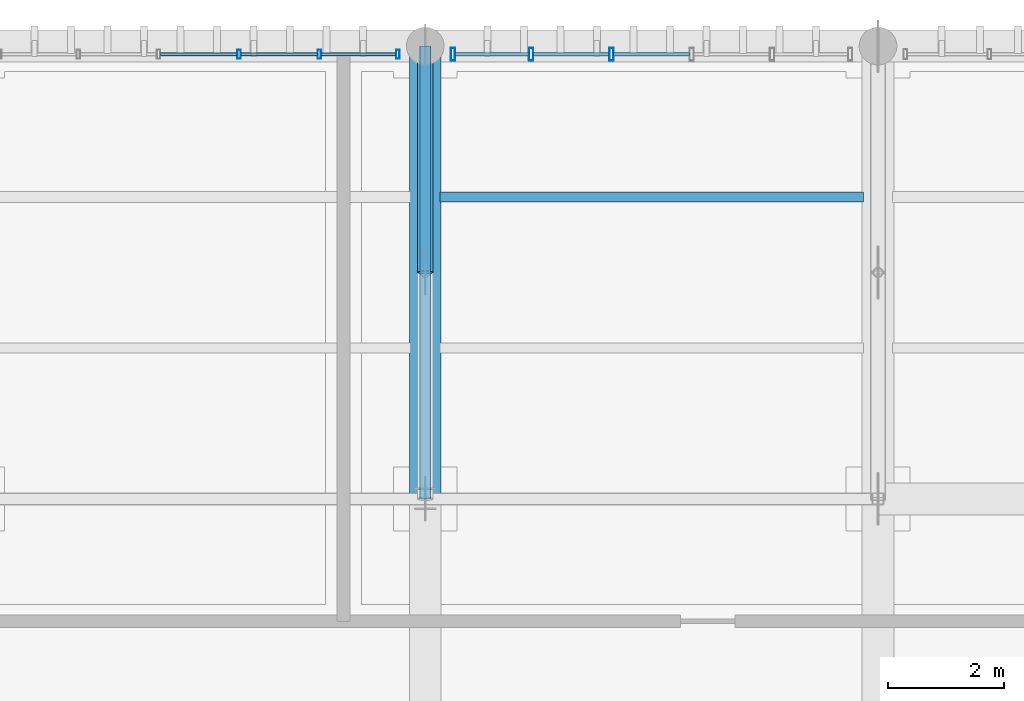
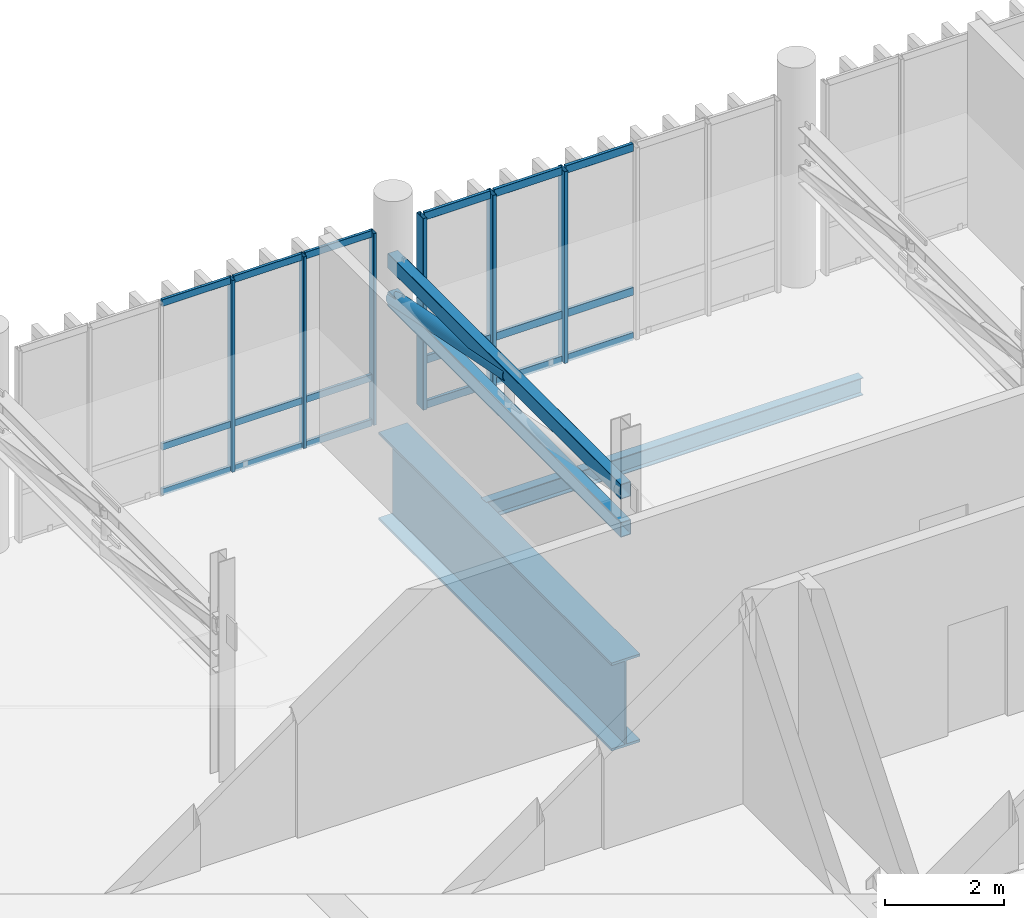
# One storey, part 37 of 53: 27 members, 2 beams, 2 elements without a shape of their own.
"""IFC4 building model written with IfcOpenShell, lengths in metres."""

from ifc_helpers import new_model, si_unit, direction, frame, origin_with_axes, origin_2d_with_axis, place, context, subcontext, project, spatial, hollow_rectangle, hollow_circle, i_section, extrude, material, material_profile, profile_set, type_object, element, aggregate, save


model = new_model("IFC4")

# Units and contexts
model_context = context("Model", 3, precision=1e-05, world=origin_with_axes(), true_north=direction((0.0, 1.0)))
body_context = subcontext(model_context, "Body", "Model", "MODEL_VIEW")
ifc_project = project(units=[si_unit("LENGTHUNIT", "METRE"), si_unit("AREAUNIT", "SQUARE_METRE"), si_unit("VOLUMEUNIT", "CUBIC_METRE"), si_unit("PLANEANGLEUNIT", "RADIAN"), si_unit("MASSUNIT", "GRAM", prefix="KILO"), si_unit("THERMODYNAMICTEMPERATUREUNIT", "KELVIN")], contexts=[model_context])

# Site, building, storey
site_placement = place(None, origin_with_axes())
site = spatial("IfcSite", under=ifc_project, at=site_placement, CompositionType="ELEMENT")
building_placement = place(site_placement, origin_with_axes())
building = spatial("IfcBuilding", under=site, at=building_placement, Name="Montbau Bow Law Courts", CompositionType="ELEMENT")
storey_placement = place(building_placement, frame((0.0, 0.0, 39.0), z_axis=(0.0, 0.0, 1.0), x_axis=(1.0, 0.0, 0.0)))
storey = spatial("IfcBuildingStorey", under=building, at=storey_placement, Name="L08", CompositionType="ELEMENT", Elevation=39.0)

# Beams
ifc_material_1 = material(Name="Steel CSA G40.21 Grade 350W (350 MPa)", Category="steel")
ifc_material_profile_1 = material_profile(ifc_material_1, i_section(OverallWidth=0.172, OverallDepth=0.358, WebThickness=0.0079, FlangeThickness=0.0131, at=origin_2d_with_axis()), Name="W360X57", Category="Main", Priority=0)
ifc_profile_set_1 = profile_set([ifc_material_profile_1], Name="Steel CSA G40.21 Grade 350W (350 MPa)")
beam_type_1 = type_object("IfcBeamType", Name="B-JST-03", PredefinedType="JOIST", material=ifc_profile_set_1)
beam_1_placement = place(None, frame((155.051, 108.4, 38.481), z_axis=(1.0, 0.0, 0.0), x_axis=(0.0, 1.0, 0.0)))
element("IfcBeam", 1, at=beam_1_placement, inside=storey, type_object=beam_type_1, Name="JST-L08-S0770:jst2_0770", PredefinedType="JOIST", context=body_context, shape_type="SweptSolid", body=[
    extrude(i_section(OverallWidth=0.172, OverallDepth=0.358, WebThickness=0.0079, FlangeThickness=0.0131, at=origin_2d_with_axis()), origin_with_axes(), (0.0, 0.0, 1.0), 7.298),
])
ifc_material_2 = material(Name="Steel CSA G40.21 Grade 350WT (350 MPa)", Category="steel")
ifc_material_profile_2 = material_profile(ifc_material_2, i_section(OverallWidth=0.55, OverallDepth=1.8, WebThickness=0.022, FlangeThickness=0.05, at=origin_2d_with_axis()), Name="WWF1800X550", Category="Main", Priority=0)
ifc_profile_set_2 = profile_set([ifc_material_profile_2], Name="Steel CSA G40.21 Grade 350WT (350 MPa)")
beam_type_2 = type_object("IfcBeamType", Name="B-TRG-01", PredefinedType="USERDEFINED", material=ifc_profile_set_2)
beam_2_placement = place(None, frame((154.8, 103.2, 37.76), z_axis=(0.0, 1.0, 0.0), x_axis=(-1.0, 0.0, 0.0)))
element("IfcBeam", 2, at=beam_2_placement, inside=storey, type_object=beam_type_2, Name="TRG-L08-S0101:bm2_0104", ObjectType="GIRDER", PredefinedType="USERDEFINED", context=body_context, shape_type="SweptSolid", body=[
    extrude(i_section(OverallWidth=0.55, OverallDepth=1.8, WebThickness=0.022, FlangeThickness=0.05, at=origin_2d_with_axis()), origin_with_axes(), (0.0, 0.0, 1.0), 7.8),
])

# Members
ifc_material_profile_3 = material_profile(ifc_material_1, hollow_circle(Radius=0.1365, WallThickness=0.0127, at=origin_2d_with_axis()), Name="HSS273X13", Category="Main", Priority=0)
ifc_profile_set_3 = profile_set([ifc_material_profile_3], Name="Steel CSA G40.21 Grade 350W (350 MPa)")
member_type_1 = type_object("IfcMemberType", Name="M-BRC-03", PredefinedType="BRACE", material=ifc_profile_set_3)
member_1_placement = place(None, frame((154.8, 107.1, 42.1), z_axis=(0.0, 0.980580676, -0.196116135), x_axis=(-1.0, 0.0, 0.0)))
element("IfcMember", 3, at=member_1_placement, inside=storey, type_object=member_type_1, Name="Diagonal brace BRC-L08-034", PredefinedType="BRACE", context=body_context, shape_type="SweptSolid", body=[
    extrude(hollow_circle(Radius=0.1365, WallThickness=0.0127, at=origin_2d_with_axis()), origin_with_axes(), (0.0, 0.0, 1.0), 3.977235),
])
ifc_material_profile_4 = material_profile(ifc_material_2, hollow_rectangle(XDim=0.203, YDim=0.305, WallThickness=0.0127, InnerFilletRadius=0.0254, OuterFilletRadius=0.0127, at=origin_2d_with_axis()), Name="HSS305X203X13", Category="Main", Priority=0)
ifc_profile_set_4 = profile_set([ifc_material_profile_4], Name="Steel CSA G40.21 Grade 350WT (350 MPa)")
member_type_2 = type_object("IfcMemberType", Name="M-CHD-02", PredefinedType="CHORD", material=ifc_profile_set_4)
for number, where, z_axis, x_axis, name in (
    (4, (154.8, 103.2, 41.32), (0.0, 1.0, 0.0), (-1.0, 0.0, 0.0), "CHB-L08-17:chb_0017"),
    (5, (154.8, 103.2, 42.1), (0.0, 1.0, 0.0), (-1.0, 0.0, 0.0), "CHD-L08-17:mbr_0065"),
):
    element("IfcMember", number, at=place(None, frame(where, z_axis=z_axis, x_axis=x_axis)), inside=storey, type_object=member_type_2, Name=name, PredefinedType="CHORD", context=body_context, shape_type="SweptSolid", body=[
        extrude(hollow_rectangle(XDim=0.203, YDim=0.305, WallThickness=0.0127, InnerFilletRadius=0.0254, OuterFilletRadius=0.0127, at=origin_2d_with_axis()), origin_with_axes(), (0.0, 0.0, 1.0), 7.8),
    ])

# Curtain wall, members
ifc_material_3 = material(Name="Thermally Broken Extruded Aluminium AA 6063-T6", Category="aluminium")
curtain_wall_type = type_object("IfcCurtainWallType", Name="CW-CRM-03", PredefinedType="NOTDEFINED", material=ifc_material_3)
curtain_wall_1_placement = place(None, frame((155.24, 110.86, 39.0), z_axis=(0.0, 0.0, 1.0), x_axis=(1.0, 0.0, 0.0)))
curtain_wall_1 = element("IfcCurtainWall", 6, at=curtain_wall_1_placement, inside=storey, type_object=curtain_wall_type, Name="CW-L08-378:cw_0378", PredefinedType="NOTDEFINED")
ifc_material_profile_5 = material_profile(ifc_material_3, hollow_rectangle(XDim=0.075, YDim=0.22, WallThickness=0.005, InnerFilletRadius=0.01, OuterFilletRadius=0.005, at=origin_2d_with_axis()), Name="CWM-220X75", Category="Main", Priority=0)
ifc_profile_set_5 = profile_set([ifc_material_profile_5], Name="Thermally Broken Extruded Aluminium AA 6063-T6")
member_type_3 = type_object("IfcMemberType", Name="M-MUL-01", PredefinedType="MULLION", material=ifc_profile_set_5)
member_2_placement = place(None, frame((155.277, 110.86, 39.0), z_axis=(0.0, 0.0, 1.0), x_axis=(1.0, 0.0, 0.0)))
member_2 = element("IfcMember", 7, at=member_2_placement, type_object=member_type_3, Name="CW-L08-378-M01:cw_0378_M01", PredefinedType="MULLION", context=body_context, shape_type="SweptSolid", body=[
    extrude(hollow_rectangle(XDim=0.075, YDim=0.22, WallThickness=0.005, InnerFilletRadius=0.01, OuterFilletRadius=0.005, at=origin_2d_with_axis()), origin_with_axes(), (0.0, 0.0, 1.0), 3.92),
])
member_3_placement = place(None, frame((156.624, 110.86, 39.0), z_axis=(0.0, 0.0, 1.0), x_axis=(1.0, 0.0, 0.0)))
member_3 = element("IfcMember", 8, at=member_3_placement, type_object=member_type_3, Name="CW-L08-378-M02:cw_0378_M02", PredefinedType="MULLION", context=body_context, shape_type="SweptSolid", body=[
    extrude(hollow_rectangle(XDim=0.075, YDim=0.22, WallThickness=0.005, InnerFilletRadius=0.01, OuterFilletRadius=0.005, at=origin_2d_with_axis()), origin_with_axes(), (0.0, 0.0, 1.0), 3.92),
])
member_4_placement = place(None, frame((158.008, 110.86, 39.0), z_axis=(0.0, 0.0, 1.0), x_axis=(1.0, 0.0, 0.0)))
member_4 = element("IfcMember", 9, at=member_4_placement, type_object=member_type_3, Name="CW-L08-378-M03:cw_0378_M03", PredefinedType="MULLION", context=body_context, shape_type="SweptSolid", body=[
    extrude(hollow_rectangle(XDim=0.075, YDim=0.22, WallThickness=0.005, InnerFilletRadius=0.01, OuterFilletRadius=0.005, at=origin_2d_with_axis()), origin_with_axes(), (0.0, 0.0, 1.0), 3.92),
])

curtain_wall_2_placement = place(None, frame((147.44, 110.86, 39.0), z_axis=(0.0, 0.0, 1.0), x_axis=(1.0, 0.0, 0.0)))
curtain_wall_2 = element("IfcCurtainWall", 10, at=curtain_wall_2_placement, inside=storey, type_object=curtain_wall_type, Name="CW-L08-377:cw_0377", PredefinedType="NOTDEFINED")
ifc_material_profile_6 = material_profile(ifc_material_3, hollow_rectangle(XDim=0.06, YDim=0.16, WallThickness=0.004, InnerFilletRadius=0.008, OuterFilletRadius=0.004, at=origin_2d_with_axis()), Name="CWM-160X60", Category="Main", Priority=0)
ifc_profile_set_6 = profile_set([ifc_material_profile_6], Name="Thermally Broken Extruded Aluminium AA 6063-T6")
member_type_4 = type_object("IfcMemberType", Name="M-MUL-03", PredefinedType="MULLION", material=ifc_profile_set_6)
member_5_placement = place(None, frame((151.592, 110.86, 39.0), z_axis=(0.0, 0.0, 1.0), x_axis=(1.0, 0.0, 0.0)))
member_5 = element("IfcMember", 11, at=member_5_placement, type_object=member_type_4, Name="CW-L08-377-M04:cw_0377_M04", PredefinedType="MULLION", context=body_context, shape_type="SweptSolid", body=[
    extrude(hollow_rectangle(XDim=0.06, YDim=0.16, WallThickness=0.004, InnerFilletRadius=0.008, OuterFilletRadius=0.004, at=origin_2d_with_axis()), origin_with_axes(), (0.0, 0.0, 1.0), 3.92),
])
member_6_placement = place(None, frame((152.976, 110.86, 39.0), z_axis=(0.0, 0.0, 1.0), x_axis=(1.0, 0.0, 0.0)))
member_6 = element("IfcMember", 12, at=member_6_placement, type_object=member_type_4, Name="CW-L08-377-M05:cw_0377_M05", PredefinedType="MULLION", context=body_context, shape_type="SweptSolid", body=[
    extrude(hollow_rectangle(XDim=0.06, YDim=0.16, WallThickness=0.004, InnerFilletRadius=0.008, OuterFilletRadius=0.004, at=origin_2d_with_axis()), origin_with_axes(), (0.0, 0.0, 1.0), 3.92),
])
member_7_placement = place(None, frame((154.33, 110.86, 39.0), z_axis=(0.0, 0.0, 1.0), x_axis=(1.0, 0.0, 0.0)))
member_7 = element("IfcMember", 13, at=member_7_placement, type_object=member_type_4, Name="CW-L08-377-M06:cw_0377_M06", PredefinedType="MULLION", context=body_context, shape_type="SweptSolid", body=[
    extrude(hollow_rectangle(XDim=0.06, YDim=0.16, WallThickness=0.004, InnerFilletRadius=0.008, OuterFilletRadius=0.004, at=origin_2d_with_axis()), origin_with_axes(), (0.0, 0.0, 1.0), 3.92),
])

# Member
ifc_material_profile_7 = material_profile(ifc_material_3, hollow_rectangle(XDim=0.06, YDim=0.16, WallThickness=0.004, InnerFilletRadius=0.008, OuterFilletRadius=0.004, at=origin_2d_with_axis()), Name="CWT-160X60", Category="Main", Priority=0)
ifc_profile_set_7 = profile_set([ifc_material_profile_7], Name="Thermally Broken Extruded Aluminium AA 6063-T6")
member_type_5 = type_object("IfcMemberType", Name="M-TRN-01", PredefinedType="USERDEFINED", material=ifc_profile_set_7)
member_8_placement = place(None, frame((155.316, 110.86, 39.03), z_axis=(1.0, 0.0, 0.0), x_axis=(0.0, 1.0, 0.0)))
member_8 = element("IfcMember", 14, at=member_8_placement, type_object=member_type_5, Name="CW-L08-378-T01-1:cw_0378_T01_1", ObjectType="TRANSOM", PredefinedType="USERDEFINED", context=body_context, shape_type="SweptSolid", body=[
    extrude(hollow_rectangle(XDim=0.06, YDim=0.16, WallThickness=0.004, InnerFilletRadius=0.008, OuterFilletRadius=0.004, at=origin_2d_with_axis()), origin_with_axes(), (0.0, 0.0, 1.0), 1.268),
])

member_9_placement = place(None, frame((155.316, 110.86, 39.95), z_axis=(1.0, 0.0, 0.0), x_axis=(0.0, 1.0, 0.0)))
member_9 = element("IfcMember", 15, at=member_9_placement, type_object=member_type_5, Name="CW-L08-378-T01-2:cw_0378_T01_2", ObjectType="TRANSOM", PredefinedType="USERDEFINED", context=body_context, shape_type="SweptSolid", body=[
    extrude(hollow_rectangle(XDim=0.06, YDim=0.16, WallThickness=0.004, InnerFilletRadius=0.008, OuterFilletRadius=0.004, at=origin_2d_with_axis()), origin_with_axes(), (0.0, 0.0, 1.0), 1.268),
])

member_10_placement = place(None, frame((155.316, 110.86, 42.89), z_axis=(1.0, 0.0, 0.0), x_axis=(0.0, 1.0, 0.0)))
member_10 = element("IfcMember", 16, at=member_10_placement, type_object=member_type_5, Name="CW-L08-378-T01-3:cw_0378_T01_3", ObjectType="TRANSOM", PredefinedType="USERDEFINED", context=body_context, shape_type="SweptSolid", body=[
    extrude(hollow_rectangle(XDim=0.06, YDim=0.16, WallThickness=0.004, InnerFilletRadius=0.008, OuterFilletRadius=0.004, at=origin_2d_with_axis()), origin_with_axes(), (0.0, 0.0, 1.0), 1.268),
])

member_11_placement = place(None, frame((156.663, 110.86, 39.03), z_axis=(1.0, 0.0, 0.0), x_axis=(0.0, 1.0, 0.0)))
member_11 = element("IfcMember", 17, at=member_11_placement, type_object=member_type_5, Name="CW-L08-378-T02-1:cw_0378_T02_1", ObjectType="TRANSOM", PredefinedType="USERDEFINED", context=body_context, shape_type="SweptSolid", body=[
    extrude(hollow_rectangle(XDim=0.06, YDim=0.16, WallThickness=0.004, InnerFilletRadius=0.008, OuterFilletRadius=0.004, at=origin_2d_with_axis()), origin_with_axes(), (0.0, 0.0, 1.0), 1.305),
])

member_12_placement = place(None, frame((156.663, 110.86, 39.95), z_axis=(1.0, 0.0, 0.0), x_axis=(0.0, 1.0, 0.0)))
member_12 = element("IfcMember", 18, at=member_12_placement, type_object=member_type_5, Name="CW-L08-378-T02-2:cw_0378_T02_2", ObjectType="TRANSOM", PredefinedType="USERDEFINED", context=body_context, shape_type="SweptSolid", body=[
    extrude(hollow_rectangle(XDim=0.06, YDim=0.16, WallThickness=0.004, InnerFilletRadius=0.008, OuterFilletRadius=0.004, at=origin_2d_with_axis()), origin_with_axes(), (0.0, 0.0, 1.0), 1.305),
])

member_13_placement = place(None, frame((156.663, 110.86, 42.89), z_axis=(1.0, 0.0, 0.0), x_axis=(0.0, 1.0, 0.0)))
member_13 = element("IfcMember", 19, at=member_13_placement, type_object=member_type_5, Name="CW-L08-378-T02-3:cw_0378_T02_3", ObjectType="TRANSOM", PredefinedType="USERDEFINED", context=body_context, shape_type="SweptSolid", body=[
    extrude(hollow_rectangle(XDim=0.06, YDim=0.16, WallThickness=0.004, InnerFilletRadius=0.008, OuterFilletRadius=0.004, at=origin_2d_with_axis()), origin_with_axes(), (0.0, 0.0, 1.0), 1.305),
])

member_14_placement = place(None, frame((158.047, 110.86, 39.03), z_axis=(1.0, 0.0, 0.0), x_axis=(0.0, 1.0, 0.0)))
member_14 = element("IfcMember", 20, at=member_14_placement, type_object=member_type_5, Name="CW-L08-378-T03-1:cw_0378_T03_1", ObjectType="TRANSOM", PredefinedType="USERDEFINED", context=body_context, shape_type="SweptSolid", body=[
    extrude(hollow_rectangle(XDim=0.06, YDim=0.16, WallThickness=0.004, InnerFilletRadius=0.008, OuterFilletRadius=0.004, at=origin_2d_with_axis()), origin_with_axes(), (0.0, 0.0, 1.0), 1.306),
])

member_15_placement = place(None, frame((158.047, 110.86, 39.95), z_axis=(1.0, 0.0, 0.0), x_axis=(0.0, 1.0, 0.0)))
member_15 = element("IfcMember", 21, at=member_15_placement, type_object=member_type_5, Name="CW-L08-378-T03-2:cw_0378_T03_2", ObjectType="TRANSOM", PredefinedType="USERDEFINED", context=body_context, shape_type="SweptSolid", body=[
    extrude(hollow_rectangle(XDim=0.06, YDim=0.16, WallThickness=0.004, InnerFilletRadius=0.008, OuterFilletRadius=0.004, at=origin_2d_with_axis()), origin_with_axes(), (0.0, 0.0, 1.0), 1.306),
])

member_16_placement = place(None, frame((158.047, 110.86, 42.89), z_axis=(1.0, 0.0, 0.0), x_axis=(0.0, 1.0, 0.0)))
member_16 = element("IfcMember", 22, at=member_16_placement, type_object=member_type_5, Name="CW-L08-378-T03-3:cw_0378_T03_3", ObjectType="TRANSOM", PredefinedType="USERDEFINED", context=body_context, shape_type="SweptSolid", body=[
    extrude(hollow_rectangle(XDim=0.06, YDim=0.16, WallThickness=0.004, InnerFilletRadius=0.008, OuterFilletRadius=0.004, at=origin_2d_with_axis()), origin_with_axes(), (0.0, 0.0, 1.0), 1.306),
])

aggregate(curtain_wall_1, [member_2, member_3, member_4, member_8, member_9, member_10, member_11, member_12, member_13, member_14, member_15, member_16])

ifc_material_profile_8 = material_profile(ifc_material_3, hollow_rectangle(XDim=0.055, YDim=0.14, WallThickness=0.004, InnerFilletRadius=0.008, OuterFilletRadius=0.004, at=origin_2d_with_axis()), Name="CWT-140X55", Category="Main", Priority=0)
ifc_profile_set_8 = profile_set([ifc_material_profile_8], Name="Thermally Broken Extruded Aluminium AA 6063-T6")
member_type_6 = type_object("IfcMemberType", Name="M-TRN-02", PredefinedType="USERDEFINED", material=ifc_profile_set_8)
member_17_placement = place(None, frame((150.24, 110.86, 39.028), z_axis=(1.0, 0.0, 0.0), x_axis=(0.0, 1.0, 0.0)))
member_17 = element("IfcMember", 23, at=member_17_placement, type_object=member_type_6, Name="CW-L08-377-T03-1:cw_0377_T03_1", ObjectType="TRANSOM", PredefinedType="USERDEFINED", context=body_context, shape_type="SweptSolid", body=[
    extrude(hollow_rectangle(XDim=0.055, YDim=0.14, WallThickness=0.004, InnerFilletRadius=0.008, OuterFilletRadius=0.004, at=origin_2d_with_axis()), origin_with_axes(), (0.0, 0.0, 1.0), 1.32),
])

member_18_placement = place(None, frame((150.24, 110.86, 39.95), z_axis=(1.0, 0.0, 0.0), x_axis=(0.0, 1.0, 0.0)))
member_18 = element("IfcMember", 24, at=member_18_placement, type_object=member_type_6, Name="CW-L08-377-T03-2:cw_0377_T03_2", ObjectType="TRANSOM", PredefinedType="USERDEFINED", context=body_context, shape_type="SweptSolid", body=[
    extrude(hollow_rectangle(XDim=0.055, YDim=0.14, WallThickness=0.004, InnerFilletRadius=0.008, OuterFilletRadius=0.004, at=origin_2d_with_axis()), origin_with_axes(), (0.0, 0.0, 1.0), 1.32),
])

member_19_placement = place(None, frame((150.24, 110.86, 42.892), z_axis=(1.0, 0.0, 0.0), x_axis=(0.0, 1.0, 0.0)))
member_19 = element("IfcMember", 25, at=member_19_placement, type_object=member_type_6, Name="CW-L08-377-T03-3:cw_0377_T03_3", ObjectType="TRANSOM", PredefinedType="USERDEFINED", context=body_context, shape_type="SweptSolid", body=[
    extrude(hollow_rectangle(XDim=0.055, YDim=0.14, WallThickness=0.004, InnerFilletRadius=0.008, OuterFilletRadius=0.004, at=origin_2d_with_axis()), origin_with_axes(), (0.0, 0.0, 1.0), 1.32),
])

member_20_placement = place(None, frame((151.624, 110.86, 39.028), z_axis=(1.0, 0.0, 0.0), x_axis=(0.0, 1.0, 0.0)))
member_20 = element("IfcMember", 26, at=member_20_placement, type_object=member_type_6, Name="CW-L08-377-T04-1:cw_0377_T04_1", ObjectType="TRANSOM", PredefinedType="USERDEFINED", context=body_context, shape_type="SweptSolid", body=[
    extrude(hollow_rectangle(XDim=0.055, YDim=0.14, WallThickness=0.004, InnerFilletRadius=0.008, OuterFilletRadius=0.004, at=origin_2d_with_axis()), origin_with_axes(), (0.0, 0.0, 1.0), 1.32),
])

member_21_placement = place(None, frame((151.624, 110.86, 39.95), z_axis=(1.0, 0.0, 0.0), x_axis=(0.0, 1.0, 0.0)))
member_21 = element("IfcMember", 27, at=member_21_placement, type_object=member_type_6, Name="CW-L08-377-T04-2:cw_0377_T04_2", ObjectType="TRANSOM", PredefinedType="USERDEFINED", context=body_context, shape_type="SweptSolid", body=[
    extrude(hollow_rectangle(XDim=0.055, YDim=0.14, WallThickness=0.004, InnerFilletRadius=0.008, OuterFilletRadius=0.004, at=origin_2d_with_axis()), origin_with_axes(), (0.0, 0.0, 1.0), 1.32),
])

member_22_placement = place(None, frame((151.624, 110.86, 42.892), z_axis=(1.0, 0.0, 0.0), x_axis=(0.0, 1.0, 0.0)))
member_22 = element("IfcMember", 28, at=member_22_placement, type_object=member_type_6, Name="CW-L08-377-T04-3:cw_0377_T04_3", ObjectType="TRANSOM", PredefinedType="USERDEFINED", context=body_context, shape_type="SweptSolid", body=[
    extrude(hollow_rectangle(XDim=0.055, YDim=0.14, WallThickness=0.004, InnerFilletRadius=0.008, OuterFilletRadius=0.004, at=origin_2d_with_axis()), origin_with_axes(), (0.0, 0.0, 1.0), 1.32),
])

member_23_placement = place(None, frame((153.008, 110.86, 39.028), z_axis=(1.0, 0.0, 0.0), x_axis=(0.0, 1.0, 0.0)))
member_23 = element("IfcMember", 29, at=member_23_placement, type_object=member_type_6, Name="CW-L08-377-T05-1:cw_0377_T05_1", ObjectType="TRANSOM", PredefinedType="USERDEFINED", context=body_context, shape_type="SweptSolid", body=[
    extrude(hollow_rectangle(XDim=0.055, YDim=0.14, WallThickness=0.004, InnerFilletRadius=0.008, OuterFilletRadius=0.004, at=origin_2d_with_axis()), origin_with_axes(), (0.0, 0.0, 1.0), 1.29),
])

member_24_placement = place(None, frame((153.008, 110.86, 39.95), z_axis=(1.0, 0.0, 0.0), x_axis=(0.0, 1.0, 0.0)))
member_24 = element("IfcMember", 30, at=member_24_placement, type_object=member_type_6, Name="CW-L08-377-T05-2:cw_0377_T05_2", ObjectType="TRANSOM", PredefinedType="USERDEFINED", context=body_context, shape_type="SweptSolid", body=[
    extrude(hollow_rectangle(XDim=0.055, YDim=0.14, WallThickness=0.004, InnerFilletRadius=0.008, OuterFilletRadius=0.004, at=origin_2d_with_axis()), origin_with_axes(), (0.0, 0.0, 1.0), 1.29),
])

member_25_placement = place(None, frame((153.008, 110.86, 42.892), z_axis=(1.0, 0.0, 0.0), x_axis=(0.0, 1.0, 0.0)))
member_25 = element("IfcMember", 31, at=member_25_placement, type_object=member_type_6, Name="CW-L08-377-T05-3:cw_0377_T05_3", ObjectType="TRANSOM", PredefinedType="USERDEFINED", context=body_context, shape_type="SweptSolid", body=[
    extrude(hollow_rectangle(XDim=0.055, YDim=0.14, WallThickness=0.004, InnerFilletRadius=0.008, OuterFilletRadius=0.004, at=origin_2d_with_axis()), origin_with_axes(), (0.0, 0.0, 1.0), 1.29),
])

aggregate(curtain_wall_2, [member_5, member_6, member_7, member_17, member_18, member_19, member_20, member_21, member_22, member_23, member_24, member_25])

save(model, "model.ifc")
